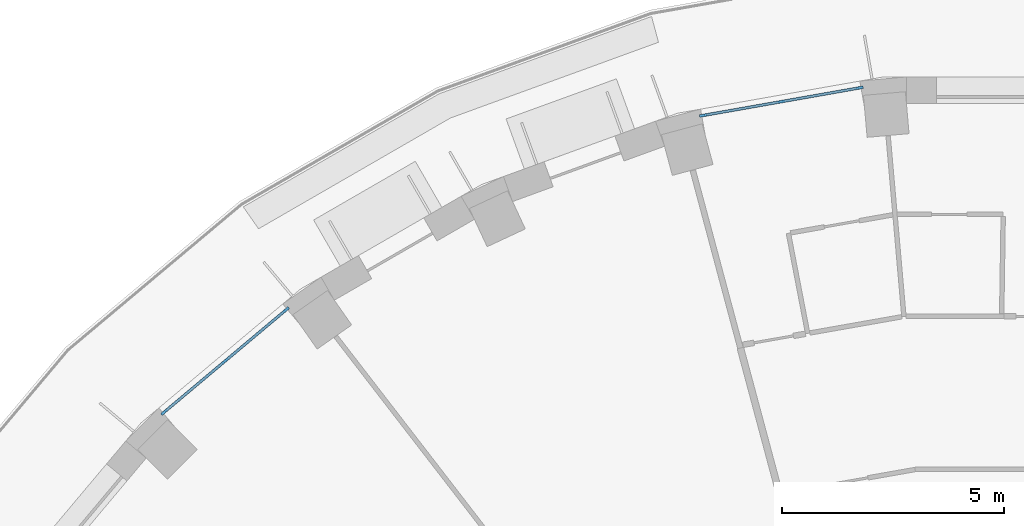
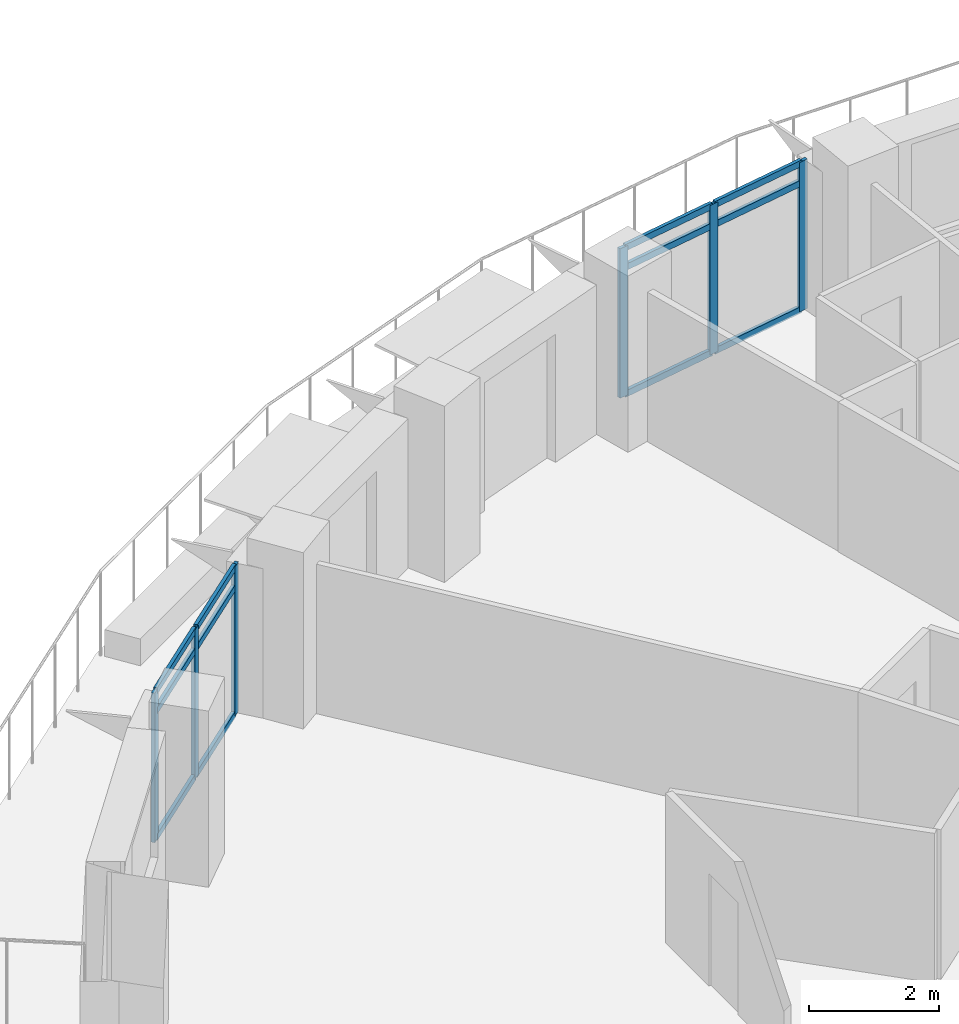
# One storey, part 2 of 14: 18 members, 2 elements without a shape of their own.
"""IFC4 building model written with IfcOpenShell, lengths in metres."""

from ifc_helpers import new_model, si_unit, direction, frame, origin, origin_2d, place, context, subcontext, project, spatial, rectangle, extrude, material, layer, layer_set, material_profile, profile_set, type_object, element, aggregate, save


model = new_model("IFC4")

# Units and contexts
model_context = context("Model", 3, precision=1e-05, world=origin(), true_north=direction((0.0, 1.0)))
body_context = subcontext(model_context, "Body", "Model", "MODEL_VIEW")
ifc_project = project(units=[si_unit("LENGTHUNIT", "METRE"), si_unit("AREAUNIT", "SQUARE_METRE"), si_unit("VOLUMEUNIT", "CUBIC_METRE"), si_unit("PLANEANGLEUNIT", "RADIAN"), si_unit("MASSUNIT", "GRAM", prefix="KILO")], contexts=[model_context])

# Site, building, storey
site_placement = place(None, origin())
site = spatial("IfcSite", under=ifc_project, at=site_placement, CompositionType="ELEMENT")
building_placement = place(site_placement, origin())
building = spatial("IfcBuilding", under=site, at=building_placement, Name="Saqina Gate Tower", CompositionType="ELEMENT")
storey_placement = place(building_placement, frame((0.0, 0.0, 95.199951171875)))
storey = spatial("IfcBuildingStorey", under=building, at=storey_placement, Name="L26", CompositionType="ELEMENT", Elevation=95.199951171875)

# Curtain wall, members
ifc_material_1 = material(Name="Aluminium glazing", Category="aluminium")
ifc_layer = layer(ifc_material_1, 0.159912109375)
ifc_layer_set = layer_set([ifc_layer], Name="CWT-4")
curtain_wall_type = type_object("IfcCurtainWallType", Name="CWT-4", PredefinedType="NOTDEFINED", material=ifc_layer_set)
curtain_wall_1_placement = place(storey_placement, origin())
curtain_wall_1 = element("IfcCurtainWall", 1, at=curtain_wall_1_placement, inside=storey, type_object=curtain_wall_type, Name="Terrace lounge glazing facet 10", PredefinedType="NOTDEFINED")
ifc_material_2 = material(Name="Aluminium", Category="aluminium")
ifc_material_profile_1 = material_profile(ifc_material_2, rectangle(XDim=0.06005859375, YDim=0.159912109375, at=origin_2d()), Name="Aluminium 60x160")
ifc_profile_set_1 = profile_set([ifc_material_profile_1], Name="Aluminium")
member_type_1 = type_object("IfcMemberType", Name="CWT-4M", PredefinedType="MULLION", material=ifc_profile_set_1)
member_1_placement = place(storey_placement, frame((-2.8779296875, 26.65234375, 0.0), z_axis=(0.0, 0.0, 1.0), x_axis=(0.17363832834, -0.984809489664, 0.0)))
member_1 = element("IfcMember", 2, at=member_1_placement, type_object=member_type_1, Name="CW4-10 mullion 1", PredefinedType="MULLION", context=body_context, shape_type="SweptSolid", body=[
    extrude(rectangle(XDim=0.06005859375, YDim=0.159912109375, at=origin_2d()), origin(), (0.0, 0.0, 1.0), 2.800048828125),
])
member_2_placement = place(storey_placement, frame((-4.64453125, 26.3408203125, 0.0), z_axis=(0.0, 0.0, 1.0), x_axis=(0.17363832834, -0.984809489664, 0.0)))
member_2 = element("IfcMember", 3, at=member_2_placement, type_object=member_type_1, Name="CW4-10 mullion 2", PredefinedType="MULLION", context=body_context, shape_type="SweptSolid", body=[
    extrude(rectangle(XDim=0.06005859375, YDim=0.159912109375, at=origin_2d()), origin(), (0.0, 0.0, 1.0), 2.800048828125),
])
member_3_placement = place(storey_placement, frame((-6.411376953125, 26.029296875, 0.0), z_axis=(0.0, 0.0, 1.0), x_axis=(0.17363832834, -0.984809489664, 0.0)))
member_3 = element("IfcMember", 4, at=member_3_placement, type_object=member_type_1, Name="CW4-10 mullion 3", PredefinedType="MULLION", context=body_context, shape_type="SweptSolid", body=[
    extrude(rectangle(XDim=0.06005859375, YDim=0.159912109375, at=origin_2d()), origin(), (0.0, 0.0, 1.0), 2.800048828125),
])

curtain_wall_2_placement = place(storey_placement, origin())
curtain_wall_2 = element("IfcCurtainWall", 5, at=curtain_wall_2_placement, inside=storey, type_object=curtain_wall_type, Name="Terrace lounge glazing facet 13", PredefinedType="NOTDEFINED")
member_4_placement = place(storey_placement, frame((-15.818603515625, 21.642822265625, 0.0), z_axis=(0.0, 0.0, 1.0), x_axis=(0.642790825553, -0.766041744675, 0.0)))
member_4 = element("IfcMember", 6, at=member_4_placement, type_object=member_type_1, Name="CW4-13 mullion 1", PredefinedType="MULLION", context=body_context, shape_type="SweptSolid", body=[
    extrude(rectangle(XDim=0.06005859375, YDim=0.159912109375, at=origin_2d()), origin(), (0.0, 0.0, 1.0), 2.800048828125),
])
member_5_placement = place(storey_placement, frame((-17.19287109375, 20.489501953125, 0.0), z_axis=(0.0, 0.0, 1.0), x_axis=(0.642790825553, -0.766041744675, 0.0)))
member_5 = element("IfcMember", 7, at=member_5_placement, type_object=member_type_1, Name="CW4-13 mullion 2", PredefinedType="MULLION", context=body_context, shape_type="SweptSolid", body=[
    extrude(rectangle(XDim=0.06005859375, YDim=0.159912109375, at=origin_2d()), origin(), (0.0, 0.0, 1.0), 2.800048828125),
])
member_6_placement = place(storey_placement, frame((-18.567138671875, 19.33642578125, 0.0), z_axis=(0.0, 0.0, 1.0), x_axis=(0.642790825553, -0.766041744675, 0.0)))
member_6 = element("IfcMember", 8, at=member_6_placement, type_object=member_type_1, Name="CW4-13 mullion 3", PredefinedType="MULLION", context=body_context, shape_type="SweptSolid", body=[
    extrude(rectangle(XDim=0.06005859375, YDim=0.159912109375, at=origin_2d()), origin(), (0.0, 0.0, 1.0), 2.800048828125),
])

# Member
ifc_material_3 = material(Name="Aluminium", Category="aluminium")
ifc_material_profile_2 = material_profile(ifc_material_3, rectangle(XDim=0.06005859375, YDim=0.1201171875, at=origin_2d()), Name="Aluminium 60x120")
ifc_profile_set_2 = profile_set([ifc_material_profile_2], Name="Aluminium")
member_type_2 = type_object("IfcMemberType", Name="CWT-4T", PredefinedType="USERDEFINED", material=ifc_profile_set_2)
member_7_placement = place(storey_placement, frame((-2.907470703125, 26.647216796875, 0.030029296875), z_axis=(-0.98481331257, -0.173616644895, 0.0), x_axis=(0.173616644895, -0.98481331257, 0.0)))
member_7 = element("IfcMember", 9, at=member_7_placement, type_object=member_type_2, Name="CW4-10 transom 1.1", ObjectType="TRANSOM", PredefinedType="USERDEFINED", context=body_context, shape_type="SweptSolid", body=[
    extrude(rectangle(XDim=0.06005859375, YDim=0.1201171875, at=origin_2d()), origin(), (0.0, 0.0, 1.0), 1.73388671875),
])

member_8_placement = place(storey_placement, frame((-2.907470703125, 26.647216796875, 2.400146484375), z_axis=(-0.98481331257, -0.173616644895, 0.0), x_axis=(0.173616644895, -0.98481331257, 0.0)))
member_8 = element("IfcMember", 10, at=member_8_placement, type_object=member_type_2, Name="CW4-10 transom 1.2", ObjectType="TRANSOM", PredefinedType="USERDEFINED", context=body_context, shape_type="SweptSolid", body=[
    extrude(rectangle(XDim=0.06005859375, YDim=0.1201171875, at=origin_2d()), origin(), (0.0, 0.0, 1.0), 1.73388671875),
])

member_9_placement = place(storey_placement, frame((-2.907470703125, 26.647216796875, 2.77001953125), z_axis=(-0.98481331257, -0.173616644895, 0.0), x_axis=(0.173616644895, -0.98481331257, 0.0)))
member_9 = element("IfcMember", 11, at=member_9_placement, type_object=member_type_2, Name="CW4-10 transom 1.3", ObjectType="TRANSOM", PredefinedType="USERDEFINED", context=body_context, shape_type="SweptSolid", body=[
    extrude(rectangle(XDim=0.06005859375, YDim=0.1201171875, at=origin_2d()), origin(), (0.0, 0.0, 1.0), 1.73388671875),
])

member_10_placement = place(storey_placement, frame((-4.674072265625, 26.335693359375, 0.030029296875), z_axis=(-0.98481331257, -0.173616644895, 0.0), x_axis=(0.173616644895, -0.98481331257, 0.0)))
member_10 = element("IfcMember", 12, at=member_10_placement, type_object=member_type_2, Name="CW4-10 transom 2.1", ObjectType="TRANSOM", PredefinedType="USERDEFINED", context=body_context, shape_type="SweptSolid", body=[
    extrude(rectangle(XDim=0.06005859375, YDim=0.1201171875, at=origin_2d()), origin(), (0.0, 0.0, 1.0), 1.73388671875),
])

member_11_placement = place(storey_placement, frame((-4.674072265625, 26.335693359375, 2.400146484375), z_axis=(-0.98481331257, -0.173616644895, 0.0), x_axis=(0.173616644895, -0.98481331257, 0.0)))
member_11 = element("IfcMember", 13, at=member_11_placement, type_object=member_type_2, Name="CW4-10 transom 2.2", ObjectType="TRANSOM", PredefinedType="USERDEFINED", context=body_context, shape_type="SweptSolid", body=[
    extrude(rectangle(XDim=0.06005859375, YDim=0.1201171875, at=origin_2d()), origin(), (0.0, 0.0, 1.0), 1.73388671875),
])

member_12_placement = place(storey_placement, frame((-4.674072265625, 26.335693359375, 2.77001953125), z_axis=(-0.98481331257, -0.173616644895, 0.0), x_axis=(0.173616644895, -0.98481331257, 0.0)))
member_12 = element("IfcMember", 14, at=member_12_placement, type_object=member_type_2, Name="CW4-10 transom 2.3", ObjectType="TRANSOM", PredefinedType="USERDEFINED", context=body_context, shape_type="SweptSolid", body=[
    extrude(rectangle(XDim=0.06005859375, YDim=0.1201171875, at=origin_2d()), origin(), (0.0, 0.0, 1.0), 1.73388671875),
])

aggregate(curtain_wall_1, [member_1, member_2, member_3, member_7, member_8, member_9, member_10, member_11, member_12])

member_13_placement = place(storey_placement, frame((-15.841552734375, 21.62353515625, 0.030029296875), z_axis=(-0.766012629291, -0.642825522025, 0.0), x_axis=(0.642825522025, -0.766012629291, 0.0)))
member_13 = element("IfcMember", 15, at=member_13_placement, type_object=member_type_2, Name="CW4-13 transom 1.1", ObjectType="TRANSOM", PredefinedType="USERDEFINED", context=body_context, shape_type="SweptSolid", body=[
    extrude(rectangle(XDim=0.06005859375, YDim=0.1201171875, at=origin_2d()), origin(), (0.0, 0.0, 1.0), 1.734130859375),
])

member_14_placement = place(storey_placement, frame((-15.841552734375, 21.62353515625, 2.400146484375), z_axis=(-0.766012629291, -0.642825522025, 0.0), x_axis=(0.642825522025, -0.766012629291, 0.0)))
member_14 = element("IfcMember", 16, at=member_14_placement, type_object=member_type_2, Name="CW4-13 transom 1.2", ObjectType="TRANSOM", PredefinedType="USERDEFINED", context=body_context, shape_type="SweptSolid", body=[
    extrude(rectangle(XDim=0.06005859375, YDim=0.1201171875, at=origin_2d()), origin(), (0.0, 0.0, 1.0), 1.734130859375),
])

member_15_placement = place(storey_placement, frame((-15.841552734375, 21.62353515625, 2.77001953125), z_axis=(-0.766012629291, -0.642825522025, 0.0), x_axis=(0.642825522025, -0.766012629291, 0.0)))
member_15 = element("IfcMember", 17, at=member_15_placement, type_object=member_type_2, Name="CW4-13 transom 1.3", ObjectType="TRANSOM", PredefinedType="USERDEFINED", context=body_context, shape_type="SweptSolid", body=[
    extrude(rectangle(XDim=0.06005859375, YDim=0.1201171875, at=origin_2d()), origin(), (0.0, 0.0, 1.0), 1.734130859375),
])

member_16_placement = place(storey_placement, frame((-17.2158203125, 20.47021484375, 0.030029296875), z_axis=(-0.766023779865, -0.64281223439, 0.0), x_axis=(0.64281223439, -0.766023779865, 0.0)))
member_16 = element("IfcMember", 18, at=member_16_placement, type_object=member_type_2, Name="CW4-13 transom 2.1", ObjectType="TRANSOM", PredefinedType="USERDEFINED", context=body_context, shape_type="SweptSolid", body=[
    extrude(rectangle(XDim=0.06005859375, YDim=0.1201171875, at=origin_2d()), origin(), (0.0, 0.0, 1.0), 1.73388671875),
])

member_17_placement = place(storey_placement, frame((-17.2158203125, 20.47021484375, 2.400146484375), z_axis=(-0.766023779865, -0.64281223439, 0.0), x_axis=(0.64281223439, -0.766023779865, 0.0)))
member_17 = element("IfcMember", 19, at=member_17_placement, type_object=member_type_2, Name="CW4-13 transom 2.2", ObjectType="TRANSOM", PredefinedType="USERDEFINED", context=body_context, shape_type="SweptSolid", body=[
    extrude(rectangle(XDim=0.06005859375, YDim=0.1201171875, at=origin_2d()), origin(), (0.0, 0.0, 1.0), 1.73388671875),
])

member_18_placement = place(storey_placement, frame((-17.2158203125, 20.47021484375, 2.77001953125), z_axis=(-0.766023779865, -0.64281223439, 0.0), x_axis=(0.64281223439, -0.766023779865, 0.0)))
member_18 = element("IfcMember", 20, at=member_18_placement, type_object=member_type_2, Name="CW4-13 transom 2.3", ObjectType="TRANSOM", PredefinedType="USERDEFINED", context=body_context, shape_type="SweptSolid", body=[
    extrude(rectangle(XDim=0.06005859375, YDim=0.1201171875, at=origin_2d()), origin(), (0.0, 0.0, 1.0), 1.73388671875),
])

aggregate(curtain_wall_2, [member_4, member_5, member_6, member_13, member_14, member_15, member_16, member_17, member_18])

save(model, "model.ifc")
